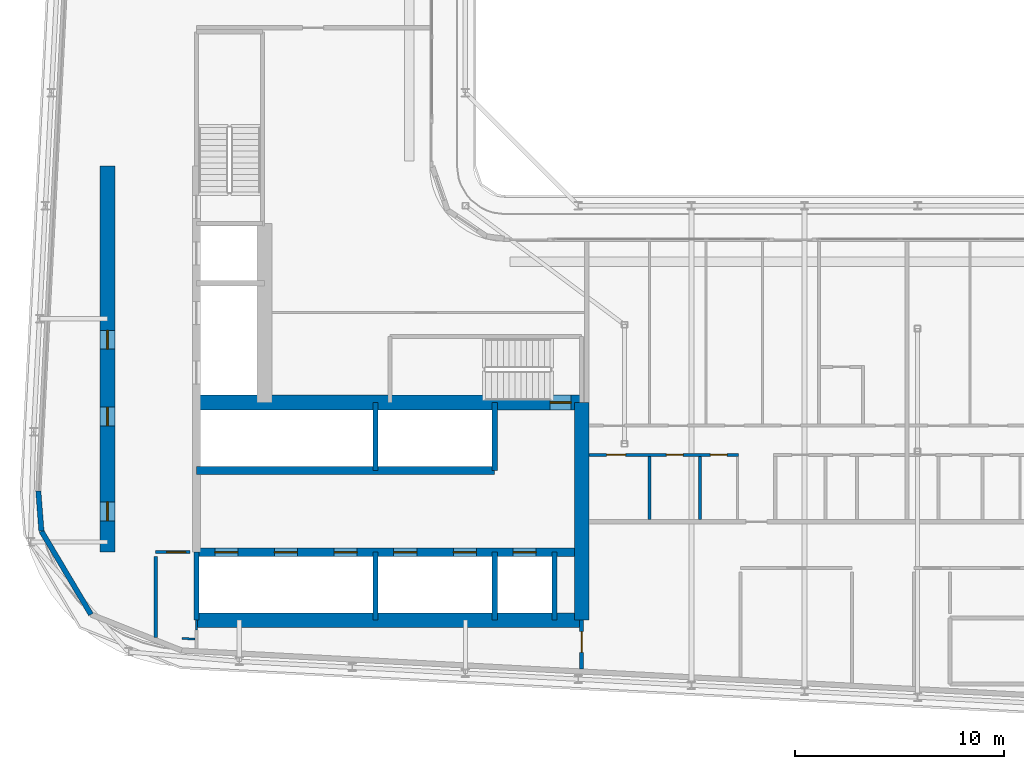
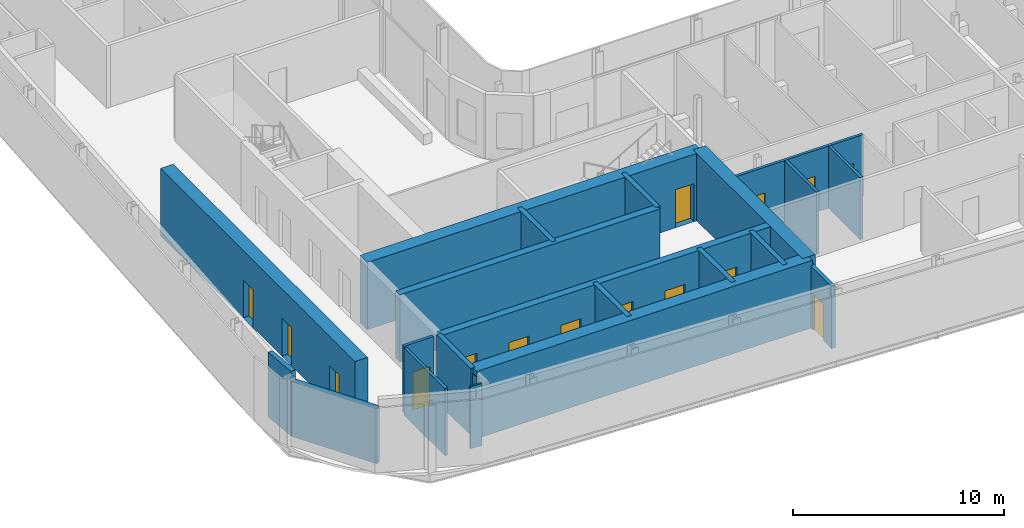
# One storey, part 10 of 23: 22 walls, 15 doors, 15 openings.
"""IFC4 building model written with IfcOpenShell, lengths in metres."""

import ifcopenshell
import ifcopenshell.guid

model = None  # the IFC model being written
_history = None  # IfcOwnerHistory: only IFC2X3 demands one
_inside = {}  # id of a spatial element -> (the spatial element, [elements in it])
_under = {}  # id of a project, library or spatial element -> (it, [spatial elements below it])
_declared = {}  # id of a project -> (the project, [libraries it declares])
_typed = {}  # id of a type object -> (the type object, [elements of that type])
_made_of = {}  # id of a material, layer set ... -> (it, [elements and type objects made of it])


def new_model(schema):
    """Start an empty IFC model of exactly this schema.

    Asked for "IFC4X3", IfcOpenShell would pick the latest addendum, in which some entities
    have other attributes; the version numbers below select the first issue.
    IFC2X3 requires an IfcOwnerHistory on every rooted entity: one is made here for all.
    """
    global model, _history
    if schema == "IFC4X3":
        model = ifcopenshell.file(schema_version=(4, 3, 0, 0))
    else:
        model = ifcopenshell.file(schema=schema)
    _inside.clear()
    _under.clear()
    _declared.clear()
    _typed.clear()
    _made_of.clear()
    _history = None
    if model.schema == "IFC2X3":
        org = make("IfcOrganization", Name="unknown")
        user = make(
            "IfcPersonAndOrganization",
            ThePerson=make("IfcPerson", FamilyName="unknown"),
            TheOrganization=org,
        )
        app = make(
            "IfcApplication",
            ApplicationDeveloper=org,
            Version="unknown",
            ApplicationFullName="unknown",
            ApplicationIdentifier="unknown",
        )
        _history = make(
            "IfcOwnerHistory",
            OwningUser=user,
            OwningApplication=app,
            ChangeAction="ADDED",
            CreationDate=0,
        )
    return model


def make(cls, **values):
    """One entity of the class cls with the attributes given. An attribute that is None is left unset."""
    return model.create_entity(
        cls, **{name: value for name, value in values.items() if value is not None}
    )


def rooted(cls, **values):
    """An entity with a GlobalId (a new one), such as an element, a storey or a relation."""
    return make(cls, GlobalId=ifcopenshell.guid.new(), OwnerHistory=_history, **values)


def si_unit(unit_type, name, prefix=None):
    """IfcSIUnit, for example si_unit("LENGTHUNIT", "METRE", prefix="MILLI")."""
    return make("IfcSIUnit", UnitType=unit_type, Prefix=prefix, Name=name)


def assignment(units):
    """IfcUnitAssignment: the units of a project."""
    return None if units is None else make("IfcUnitAssignment", Units=units)


def point(xyz):
    """IfcCartesianPoint."""
    return None if xyz is None else make("IfcCartesianPoint", Coordinates=xyz)


def direction(xyz):
    """IfcDirection."""
    return None if xyz is None else make("IfcDirection", DirectionRatios=xyz)


def frame(location, z_axis=None, x_axis=None):
    """IfcAxis2Placement3D, a coordinate frame: its origin and axes. An axis left out is left unset."""
    return make(
        "IfcAxis2Placement3D",
        Location=point(location),
        Axis=direction(z_axis),
        RefDirection=direction(x_axis),
    )


def frame_2d(location, x_axis=None):
    """IfcAxis2Placement2D, a coordinate frame in the plane: its origin and x axis."""
    return make(
        "IfcAxis2Placement2D", Location=point(location), RefDirection=direction(x_axis)
    )


def origin():
    """The frame at (0, 0, 0) with its axes left unset."""
    return frame((0.0, 0.0, 0.0))


def place(relative_to, where):
    """IfcLocalPlacement: puts the frame where relative to a parent placement (None: the world)."""
    return make(
        "IfcLocalPlacement", PlacementRelTo=relative_to, RelativePlacement=where
    )


def context(
    kind, dimensions, precision=None, world=None, true_north=None, identifier=None
):
    """IfcGeometricRepresentationContext, for example the 3D "Model" context."""
    return make(
        "IfcGeometricRepresentationContext",
        ContextIdentifier=identifier,
        ContextType=kind,
        CoordinateSpaceDimension=dimensions,
        Precision=precision,
        WorldCoordinateSystem=world,
        TrueNorth=true_north,
    )


def subcontext(parent, identifier, kind, view, scale=None):
    """IfcGeometricRepresentationSubContext, for example "Body" below "Model"."""
    return make(
        "IfcGeometricRepresentationSubContext",
        ContextIdentifier=identifier,
        ContextType=kind,
        ParentContext=parent,
        TargetScale=scale,
        TargetView=view,
    )


def project(units=None, contexts=None):
    """IfcProject with its units and contexts."""
    return rooted(
        "IfcProject",
        Name="project",
        RepresentationContexts=contexts,
        UnitsInContext=assignment(units),
    )


def spatial(cls, under=None, at=None, **own):
    """A site, building, storey or space (cls), placed at a placement, below another one or the project."""
    s = rooted(cls, ObjectPlacement=at, **own)
    if under is not None:
        _under.setdefault(under.id(), (under, []))[1].append(s)
    return s


def profile(cls, at=None, kind="AREA", **sizes):
    """A parametric profile (cls). Its sizes go by their IFC names, for example OverallWidth=200.0."""
    return make(cls, ProfileType=kind, Position=at, **sizes)


def rectangle(**sizes):
    """IfcRectangleProfileDef."""
    return profile("IfcRectangleProfileDef", **sizes)


def extrude(swept, where, along, depth):
    """IfcExtrudedAreaSolid: the profile swept, set in the frame where, extruded along a direction by depth."""
    return make(
        "IfcExtrudedAreaSolid",
        SweptArea=swept,
        Position=where,
        ExtrudedDirection=direction(along),
        Depth=depth,
    )


def shape(context_of_items, identifier, shape_type, items):
    """IfcShapeRepresentation: the items that make up one representation, for example the "Body"."""
    return make(
        "IfcShapeRepresentation",
        ContextOfItems=context_of_items,
        RepresentationIdentifier=identifier,
        RepresentationType=shape_type,
        Items=items,
    )


def source(mapping_origin, context_of_items, identifier, shape_type, items):
    """IfcRepresentationMap: a shape defined once, which mapped items show again and again."""
    return make(
        "IfcRepresentationMap",
        MappingOrigin=mapping_origin,
        MappedRepresentation=shape(context_of_items, identifier, shape_type, items),
    )


def transform(
    local_origin,
    x_axis=None,
    y_axis=None,
    z_axis=None,
    scale=None,
    scale2=None,
    scale3=None,
    uniform=True,
):
    """IfcCartesianTransformationOperator3D, or its non-uniform kind. x_axis, y_axis, z_axis: its Axis1, 2, 3."""
    if uniform:
        return make(
            "IfcCartesianTransformationOperator3D",
            Axis1=direction(x_axis),
            Axis2=direction(y_axis),
            LocalOrigin=point(local_origin),
            Scale=scale,
            Axis3=direction(z_axis),
        )
    return make(
        "IfcCartesianTransformationOperator3DnonUniform",
        Axis1=direction(x_axis),
        Axis2=direction(y_axis),
        LocalOrigin=point(local_origin),
        Scale=scale,
        Axis3=direction(z_axis),
        Scale2=scale2,
        Scale3=scale3,
    )


def mapped(mapping_source, mapping_target):
    """IfcMappedItem: shows the shape of a source again, moved by a transform."""
    return make(
        "IfcMappedItem", MappingSource=mapping_source, MappingTarget=mapping_target
    )


def material(Name=None, Category=None):
    """IfcMaterial."""
    return make("IfcMaterial", Name=Name, Category=Category)


def layer(
    of_material, thickness, ventilated=None, Name=None, Category=None, Priority=None
):
    """IfcMaterialLayer: one layer of a wall or slab, of a material (None: an air gap)."""
    return make(
        "IfcMaterialLayer",
        Material=of_material,
        LayerThickness=thickness,
        IsVentilated=ventilated,
        Name=Name,
        Category=Category,
        Priority=Priority,
    )


def layer_set(layers, Name=None):
    """IfcMaterialLayerSet."""
    return make("IfcMaterialLayerSet", MaterialLayers=layers, LayerSetName=Name)


def made_of(thing, what):
    """Note that an element or type object is made of a material, layer set ...; save() writes the relation."""
    if what is not None:
        _made_of.setdefault(what.id(), (what, []))[1].append(thing)
    return thing


def type_object(cls, material=None, **own):
    """A type object (cls), such as IfcWallType, which elements share."""
    return made_of(rooted(cls, **own), material)


def element(
    cls,
    number,
    at=None,
    inside=None,
    cuts=None,
    type_object=None,
    material=None,
    context=None,
    identifier="Body",
    shape_type=None,
    held_by="IfcProductDefinitionShape",
    body=None,
    shapes=None,
    **own,
):
    """One element of the class cls, such as IfcWall. Its Tag is "e" and its number.

    at: its placement. inside: the storey or other place that contains it. cuts: it is an
    opening in that element (IfcRelVoidsElement). A single representation is given by context,
    identifier, shape_type and body (its items); several are given by shapes. held_by: the class
    of the entity that holds the representations. save() writes the other relations.
    """
    e = rooted(cls, Tag="e%d" % number, ObjectPlacement=at, **own)
    if body is not None:
        shapes = [shape(context, identifier, shape_type, body)]
    if shapes is not None:
        e.Representation = make(held_by, Representations=shapes)
    if inside is not None:
        _inside.setdefault(inside.id(), (inside, []))[1].append(e)
    if cuts is not None:
        rooted(
            "IfcRelVoidsElement", RelatingBuildingElement=cuts, RelatedOpeningElement=e
        )
    if type_object is not None:
        _typed.setdefault(type_object.id(), (type_object, []))[1].append(e)
    return made_of(e, material)


def fill(opening, filler):
    """IfcRelFillsElement: the door or window that sits in an opening."""
    return rooted(
        "IfcRelFillsElement",
        RelatingOpeningElement=opening,
        RelatedBuildingElement=filler,
    )


def aggregate(whole, parts):
    """IfcRelAggregates: a whole, such as a stair, and the parts it consists of."""
    return rooted("IfcRelAggregates", RelatingObject=whole, RelatedObjects=parts)


def save(model, path):
    """Write the relations noted so far, then the file.

    IfcRelAggregates (storeys below a building ...), IfcRelContainedInSpatialStructure (elements
    in a storey), IfcRelDefinesByType, IfcRelAssociatesMaterial and IfcRelDeclares: one each for
    every whole, place, type object, material and project.
    """
    for whole, parts in _under.values():
        aggregate(whole, parts)
    for where, things in _inside.values():
        rooted(
            "IfcRelContainedInSpatialStructure",
            RelatedElements=things,
            RelatingStructure=where,
        )
    for kind, things in _typed.values():
        rooted("IfcRelDefinesByType", RelatedObjects=things, RelatingType=kind)
    for what, things in _made_of.values():
        rooted("IfcRelAssociatesMaterial", RelatedObjects=things, RelatingMaterial=what)
    for by, libraries in _declared.values():
        rooted("IfcRelDeclares", RelatingContext=by, RelatedDefinitions=libraries)
    model.write(path)


model = new_model("IFC4")

# Units and contexts
model_context = context("Model", 3, precision=1e-05, world=origin(), true_north=direction((0.0, 1.0)))
body_context = subcontext(model_context, "Body", "Model", "MODEL_VIEW")
ifc_project = project(units=[si_unit("LENGTHUNIT", "METRE"), si_unit("AREAUNIT", "SQUARE_METRE"), si_unit("VOLUMEUNIT", "CUBIC_METRE"), si_unit("PLANEANGLEUNIT", "RADIAN"), si_unit("MASSUNIT", "GRAM", prefix="KILO")], contexts=[model_context])

# Site, building, storey
site_placement = place(None, origin())
site = spatial("IfcSite", under=ifc_project, at=site_placement, CompositionType="ELEMENT")
building_placement = place(site_placement, origin())
building = spatial("IfcBuilding", under=site, at=building_placement, Name="Kheshtan School and Residences Tower", CompositionType="ELEMENT")
storey_placement = place(building_placement, frame((0.0, 0.0, 239.60009765625)))
storey = spatial("IfcBuildingStorey", under=building, at=storey_placement, Name="L56", CompositionType="ELEMENT", Elevation=239.60009765625)

# Wall, openings, doors
ifc_material_1 = material(Name="Concrete C50/60", Category="concrete")
ifc_layer_1 = layer(ifc_material_1, 0.39990234375)
ifc_layer_set_1 = layer_set([ifc_layer_1], Name="Core wall 400 Concrete C50/60")
wall_type_1 = type_object("IfcWallType", Name="Core wall 400 Concrete C50/60", PredefinedType="SHEAR", material=ifc_layer_set_1)
wall_1_placement = place(storey_placement, frame((34.75, 29.050048828125, 0.0), z_axis=(0.0, 0.0, 1.0), x_axis=(1.0, 0.0, 0.0)))
wall_1 = element("IfcWall", 1, at=wall_1_placement, inside=storey, type_object=wall_type_1, Name="Core wall CW-HALL-S1", PredefinedType="SHEAR", context=body_context, shape_type="SweptSolid", body=[
    extrude(rectangle(XDim=18.39990234375, YDim=0.39990234375, at=frame_2d((9.199951171875, 0.0))), origin(), (0.0, 0.0, 1.0), 3.89990234375),
])
opening_1_placement = place(wall_1_placement, frame((0.875, 0.0, 0.0)))
opening_1 = element("IfcOpeningElement", 2, at=opening_1_placement, cuts=wall_1, Name="Opening LD", PredefinedType="OPENING", context=body_context, shape_type="SweptSolid", body=[
    extrude(rectangle(XDim=1.10009765625, YDim=2.199951171875, at=frame_2d((0.550048828125, 1.10009765625))), frame((0.0, 0.2099609375, 0.0), z_axis=(0.0, -1.0, 0.0), x_axis=(1.0, 0.0, 0.0)), (0.0, 0.0, 1.0), 0.419921875),
])
opening_2_placement = place(wall_1_placement, frame((3.72509765625, 0.0, 0.0)))
opening_2 = element("IfcOpeningElement", 3, at=opening_2_placement, cuts=wall_1, Name="Opening LD", PredefinedType="OPENING", context=body_context, shape_type="SweptSolid", body=[
    extrude(rectangle(XDim=1.10009765625, YDim=2.199951171875, at=frame_2d((0.550048828125, 1.10009765625))), frame((0.0, 0.2099609375, 0.0), z_axis=(0.0, -1.0, 0.0), x_axis=(1.0, 0.0, 0.0)), (0.0, 0.0, 1.0), 0.419921875),
])
opening_3_placement = place(wall_1_placement, frame((6.574951171875, 0.0, 0.0)))
opening_3 = element("IfcOpeningElement", 4, at=opening_3_placement, cuts=wall_1, Name="Opening LD", PredefinedType="OPENING", context=body_context, shape_type="SweptSolid", body=[
    extrude(rectangle(XDim=1.10009765625, YDim=2.199951171875, at=frame_2d((0.550048828125, 1.10009765625))), frame((0.0, 0.2099609375, 0.0), z_axis=(0.0, -1.0, 0.0), x_axis=(1.0, 0.0, 0.0)), (0.0, 0.0, 1.0), 0.419921875),
])
opening_4_placement = place(wall_1_placement, frame((9.425048828125, 0.0, 0.0)))
opening_4 = element("IfcOpeningElement", 5, at=opening_4_placement, cuts=wall_1, Name="Opening LD", PredefinedType="OPENING", context=body_context, shape_type="SweptSolid", body=[
    extrude(rectangle(XDim=1.10009765625, YDim=2.199951171875, at=frame_2d((0.550048828125, 1.10009765625))), frame((0.0, 0.2099609375, 0.0), z_axis=(0.0, -1.0, 0.0), x_axis=(1.0, 0.0, 0.0)), (0.0, 0.0, 1.0), 0.419921875),
])
opening_5_placement = place(wall_1_placement, frame((12.27490234375, 0.0, 0.0)))
opening_5 = element("IfcOpeningElement", 6, at=opening_5_placement, cuts=wall_1, Name="Opening LD", PredefinedType="OPENING", context=body_context, shape_type="SweptSolid", body=[
    extrude(rectangle(XDim=1.10009765625, YDim=2.199951171875, at=frame_2d((0.550048828125, 1.10009765625))), frame((0.0, 0.2099609375, 0.0), z_axis=(0.0, -1.0, 0.0), x_axis=(1.0, 0.0, 0.0)), (0.0, 0.0, 1.0), 0.419921875),
])
opening_6_placement = place(wall_1_placement, frame((15.125, 0.0, 0.0)))
opening_6 = element("IfcOpeningElement", 7, at=opening_6_placement, cuts=wall_1, Name="Opening LD", PredefinedType="OPENING", context=body_context, shape_type="SweptSolid", body=[
    extrude(rectangle(XDim=1.10009765625, YDim=2.199951171875, at=frame_2d((0.550048828125, 1.10009765625))), frame((0.0, 0.2099609375, 0.0), z_axis=(0.0, -1.0, 0.0), x_axis=(1.0, 0.0, 0.0)), (0.0, 0.0, 1.0), 0.419921875),
])
ifc_material_2 = material(Name="Stainless steel door leaves", Category="steel")
door_type_1 = type_object("IfcDoorType", Name="Lift landing door 1100", OperationType="SLIDING_TO_LEFT", PredefinedType="DOOR", material=ifc_material_2)
shared_shape_1 = source(origin(), body_context, "Body", "SweptSolid", [
    extrude(rectangle(XDim=1.10009765625, YDim=2.199951171875, at=frame_2d((0.550048828125, 1.10009765625))), frame((0.0, 0.02490234375, 0.0), z_axis=(0.0, -1.0, 0.0), x_axis=(1.0, 0.0, 0.0)), (0.0, 0.0, 1.0), 0.050048828125),
])
door_1_placement = place(opening_1_placement, origin())
door_1 = element("IfcDoor", 8, at=door_1_placement, inside=storey, type_object=door_type_1, Name="Lift P7 landing door", OperationType="SLIDING_TO_LEFT", OverallHeight=2.199951171875, OverallWidth=1.10009765625, PredefinedType="DOOR", context=body_context, shape_type="MappedRepresentation", body=[
    mapped(shared_shape_1, transform((0.0, 0.0, 0.0), x_axis=(1.0, 0.0, 0.0), y_axis=(0.0, 1.0, 0.0), z_axis=(0.0, 0.0, 1.0), scale=1.0)),
])
fill(opening_1, door_1)
door_2_placement = place(opening_2_placement, origin())
door_2 = element("IfcDoor", 9, at=door_2_placement, inside=storey, type_object=door_type_1, Name="Lift P8 landing door", OperationType="SLIDING_TO_LEFT", OverallHeight=2.199951171875, OverallWidth=1.10009765625, PredefinedType="DOOR", context=body_context, shape_type="MappedRepresentation", body=[
    mapped(shared_shape_1, transform((0.0, 0.0, 0.0), x_axis=(1.0, 0.0, 0.0), y_axis=(0.0, 1.0, 0.0), z_axis=(0.0, 0.0, 1.0), scale=1.0)),
])
fill(opening_2, door_2)
door_3_placement = place(opening_3_placement, origin())
door_3 = element("IfcDoor", 10, at=door_3_placement, inside=storey, type_object=door_type_1, Name="Lift P9 landing door", OperationType="SLIDING_TO_LEFT", OverallHeight=2.199951171875, OverallWidth=1.10009765625, PredefinedType="DOOR", context=body_context, shape_type="MappedRepresentation", body=[
    mapped(shared_shape_1, transform((0.0, 0.0, 0.0), x_axis=(1.0, 0.0, 0.0), y_axis=(0.0, 1.0, 0.0), z_axis=(0.0, 0.0, 1.0), scale=1.0)),
])
fill(opening_3, door_3)
door_4_placement = place(opening_4_placement, origin())
door_4 = element("IfcDoor", 11, at=door_4_placement, inside=storey, type_object=door_type_1, Name="Lift P10 landing door", OperationType="SLIDING_TO_LEFT", OverallHeight=2.199951171875, OverallWidth=1.10009765625, PredefinedType="DOOR", context=body_context, shape_type="MappedRepresentation", body=[
    mapped(shared_shape_1, transform((0.0, 0.0, 0.0), x_axis=(1.0, 0.0, 0.0), y_axis=(0.0, 1.0, 0.0), z_axis=(0.0, 0.0, 1.0), scale=1.0)),
])
fill(opening_4, door_4)
door_5_placement = place(opening_5_placement, origin())
door_5 = element("IfcDoor", 12, at=door_5_placement, inside=storey, type_object=door_type_1, Name="Lift P11 landing door", OperationType="SLIDING_TO_LEFT", OverallHeight=2.199951171875, OverallWidth=1.10009765625, PredefinedType="DOOR", context=body_context, shape_type="MappedRepresentation", body=[
    mapped(shared_shape_1, transform((0.0, 0.0, 0.0), x_axis=(1.0, 0.0, 0.0), y_axis=(0.0, 1.0, 0.0), z_axis=(0.0, 0.0, 1.0), scale=1.0)),
])
fill(opening_5, door_5)
door_6_placement = place(opening_6_placement, origin())
door_6 = element("IfcDoor", 13, at=door_6_placement, inside=storey, type_object=door_type_1, Name="Lift FFL2 landing door", OperationType="SLIDING_TO_LEFT", OverallHeight=2.199951171875, OverallWidth=1.10009765625, PredefinedType="DOOR", context=body_context, shape_type="MappedRepresentation", body=[
    mapped(shared_shape_1, transform((0.0, 0.0, 0.0), x_axis=(1.0, 0.0, 0.0), y_axis=(0.0, 1.0, 0.0), z_axis=(0.0, 0.0, 1.0), scale=1.0)),
])
fill(opening_6, door_6)

# Walls
wall_2_placement = place(storey_placement, frame((34.75, 32.949951171875, 0.0), z_axis=(0.0, 0.0, 1.0), x_axis=(1.0, 0.0, 0.0)))
element("IfcWall", 14, at=wall_2_placement, inside=storey, type_object=wall_type_1, Name="Core wall CW-HALL-S2", PredefinedType="SHEAR", context=body_context, shape_type="SweptSolid", body=[
    extrude(rectangle(XDim=14.25, YDim=0.39990234375, at=frame_2d((7.125, 0.0))), origin(), (0.0, 0.0, 1.0), 3.89990234375),
])
ifc_material_3 = material(Name="Concrete C70/85", Category="concrete")
ifc_layer_2 = layer(ifc_material_3, 0.699951171875)
ifc_layer_set_2 = layer_set([ifc_layer_2], Name="Core wall 700 Concrete C70/85")
wall_type_2 = type_object("IfcWallType", Name="Core wall 700 Concrete C70/85", PredefinedType="SHEAR", material=ifc_layer_set_2)
wall_3_placement = place(storey_placement, frame((34.75, 25.800048828125, 0.0), z_axis=(0.0, 0.0, 1.0), x_axis=(1.0, 0.0, 0.0)))
element("IfcWall", 15, at=wall_3_placement, inside=storey, type_object=wall_type_2, Name="Core wall CW-REAR-S", PredefinedType="SHEAR", context=body_context, shape_type="SweptSolid", body=[
    extrude(rectangle(XDim=18.39990234375, YDim=0.699951171875, at=frame_2d((9.199951171875, 0.0))), origin(), (0.0, 0.0, 1.0), 3.89990234375),
])

# Wall, opening, door
wall_4_placement = place(storey_placement, frame((34.75, 36.199951171875, 0.0), z_axis=(0.0, 0.0, 1.0), x_axis=(1.0, 0.0, 0.0)))
wall_4 = element("IfcWall", 16, at=wall_4_placement, inside=storey, type_object=wall_type_2, Name="Core wall CW-FRONT-S", PredefinedType="SHEAR", context=body_context, shape_type="SweptSolid", body=[
    extrude(rectangle(XDim=18.39990234375, YDim=0.699951171875, at=frame_2d((9.199951171875, 0.0))), origin(), (0.0, 0.0, 1.0), 3.89990234375),
])
opening_7_placement = place(wall_4_placement, frame((16.89990234375, 0.0, 0.0)))
opening_7 = element("IfcOpeningElement", 17, at=opening_7_placement, cuts=wall_4, Name="Opening ST1D", PredefinedType="OPENING", context=body_context, shape_type="SweptSolid", body=[
    extrude(rectangle(XDim=1.0, YDim=2.199951171875, at=frame_2d((0.5, 1.10009765625))), frame((0.0, 0.35986328125, 0.0), z_axis=(0.0, -1.0, 0.0), x_axis=(1.0, 0.0, 0.0)), (0.0, 0.0, 1.0), 0.719970703125),
])
ifc_material_4 = material(Name="Steel door leaf, galvanised", Category="steel")
door_type_2 = type_object("IfcDoorType", Name="Stair door 1100 steel 90 min", OperationType="SINGLE_SWING_LEFT", PredefinedType="DOOR", material=ifc_material_4)
shared_shape_2 = source(origin(), body_context, "Body", "SweptSolid", [
    extrude(rectangle(XDim=1.0, YDim=2.199951171875, at=frame_2d((0.5, 1.10009765625))), frame((0.0, 0.02490234375, 0.0), z_axis=(0.0, -1.0, 0.0), x_axis=(1.0, 0.0, 0.0)), (0.0, 0.0, 1.0), 0.050048828125),
])
door_7_placement = place(opening_7_placement, origin())
door_7 = element("IfcDoor", 18, at=door_7_placement, inside=storey, type_object=door_type_2, Name="Stair ST1 door", OperationType="SINGLE_SWING_RIGHT", OverallHeight=2.199951171875, OverallWidth=1.0, PredefinedType="DOOR", context=body_context, shape_type="MappedRepresentation", body=[
    mapped(shared_shape_2, transform((0.0, 0.0, 0.0), x_axis=(1.0, 0.0, 0.0), y_axis=(0.0, 1.0, 0.0), z_axis=(0.0, 0.0, 1.0), scale=1.0)),
])
fill(opening_7, door_7)

# Wall, openings, doors
wall_5_placement = place(storey_placement, frame((30.5, 29.050048828125, 0.0), z_axis=(0.0, 0.0, 1.0), x_axis=(0.0, 1.0, 0.0)))
wall_5 = element("IfcWall", 19, at=wall_5_placement, inside=storey, type_object=wall_type_2, Name="Core wall CW-REAR-W", PredefinedType="SHEAR", context=body_context, shape_type="SweptSolid", body=[
    extrude(rectangle(XDim=18.449951171875, YDim=0.699951171875, at=frame_2d((9.22509765625, 0.0))), origin(), (0.0, 0.0, 1.0), 3.89990234375),
])
opening_8_placement = place(wall_5_placement, frame((1.5, 0.0, 0.0)))
opening_8 = element("IfcOpeningElement", 20, at=opening_8_placement, cuts=wall_5, Name="Opening SR90", PredefinedType="OPENING", context=body_context, shape_type="SweptSolid", body=[
    extrude(rectangle(XDim=0.89990234375, YDim=2.199951171875, at=frame_2d((0.449951171875, 1.10009765625))), frame((0.0, 0.35986328125, 0.0), z_axis=(0.0, -1.0, 0.0), x_axis=(1.0, 0.0, 0.0)), (0.0, 0.0, 1.0), 0.719970703125),
])
opening_9_placement = place(wall_5_placement, frame((6.030029296875, 0.0, 0.0)))
opening_9 = element("IfcOpeningElement", 21, at=opening_9_placement, cuts=wall_5, Name="Opening SR90", PredefinedType="OPENING", context=body_context, shape_type="SweptSolid", body=[
    extrude(rectangle(XDim=0.89990234375, YDim=2.199951171875, at=frame_2d((0.449951171875, 1.10009765625))), frame((0.0, 0.35986328125, 0.0), z_axis=(0.0, -1.0, 0.0), x_axis=(1.0, 0.0, 0.0)), (0.0, 0.0, 1.0), 0.719970703125),
])
opening_10_placement = place(wall_5_placement, frame((9.699951171875, 0.0, 0.0)))
opening_10 = element("IfcOpeningElement", 22, at=opening_10_placement, cuts=wall_5, Name="Opening SR90", PredefinedType="OPENING", context=body_context, shape_type="SweptSolid", body=[
    extrude(rectangle(XDim=0.89990234375, YDim=2.199951171875, at=frame_2d((0.449951171875, 1.10009765625))), frame((0.0, 0.35986328125, 0.0), z_axis=(0.0, -1.0, 0.0), x_axis=(1.0, 0.0, 0.0)), (0.0, 0.0, 1.0), 0.719970703125),
])
door_type_3 = type_object("IfcDoorType", Name="Service room door 900 steel 90 min", OperationType="SINGLE_SWING_LEFT", PredefinedType="DOOR", material=ifc_material_4)
shared_shape_3 = source(origin(), body_context, "Body", "SweptSolid", [
    extrude(rectangle(XDim=0.89990234375, YDim=2.199951171875, at=frame_2d((0.449951171875, 1.10009765625))), frame((0.0, 0.02490234375, 0.0), z_axis=(0.0, -1.0, 0.0), x_axis=(1.0, 0.0, 0.0)), (0.0, 0.0, 1.0), 0.050048828125),
])
door_8_placement = place(opening_8_placement, origin())
door_8 = element("IfcDoor", 23, at=door_8_placement, inside=storey, type_object=door_type_3, Name="Service room door", OperationType="SINGLE_SWING_LEFT", OverallHeight=2.199951171875, OverallWidth=0.89990234375, PredefinedType="DOOR", context=body_context, shape_type="MappedRepresentation", body=[
    mapped(shared_shape_3, transform((0.0, 0.0, 0.0), x_axis=(1.0, 0.0, 0.0), y_axis=(0.0, 1.0, 0.0), z_axis=(0.0, 0.0, 1.0), scale=1.0)),
])
fill(opening_8, door_8)
door_9_placement = place(opening_9_placement, origin())
door_9 = element("IfcDoor", 24, at=door_9_placement, inside=storey, type_object=door_type_3, Name="Service room door", OperationType="SINGLE_SWING_RIGHT", OverallHeight=2.199951171875, OverallWidth=0.89990234375, PredefinedType="DOOR", context=body_context, shape_type="MappedRepresentation", body=[
    mapped(shared_shape_3, transform((0.0, 0.0, 0.0), x_axis=(1.0, 0.0, 0.0), y_axis=(0.0, 1.0, 0.0), z_axis=(0.0, 0.0, 1.0), scale=1.0)),
])
fill(opening_9, door_9)
door_10_placement = place(opening_10_placement, origin())
door_10 = element("IfcDoor", 25, at=door_10_placement, inside=storey, type_object=door_type_3, Name="Service room door", OperationType="SINGLE_SWING_LEFT", OverallHeight=2.199951171875, OverallWidth=0.89990234375, PredefinedType="DOOR", context=body_context, shape_type="MappedRepresentation", body=[
    mapped(shared_shape_3, transform((0.0, 0.0, 0.0), x_axis=(1.0, 0.0, 0.0), y_axis=(0.0, 1.0, 0.0), z_axis=(0.0, 0.0, 1.0), scale=1.0)),
])
fill(opening_10, door_10)

# Wall
wall_6_placement = place(storey_placement, frame((53.14990234375, 25.800048828125, 0.0), z_axis=(0.0, 0.0, 1.0), x_axis=(0.0, 1.0, 0.0)))
element("IfcWall", 26, at=wall_6_placement, inside=storey, type_object=wall_type_2, Name="Core wall CW-EAST", PredefinedType="SHEAR", context=body_context, shape_type="SweptSolid", body=[
    extrude(rectangle(XDim=10.39990234375, YDim=0.699951171875, at=frame_2d((5.199951171875, 0.0))), origin(), (0.0, 0.0, 1.0), 3.89990234375),
])

# Wall, opening, door
ifc_material_5 = material(Name="Gypsum board on steel studs with fire boards", Category="steel")
ifc_layer_3 = layer(ifc_material_5, 0.199951171875)
ifc_layer_set_3 = layer_set([ifc_layer_3], Name="Corridor wall 200")
wall_type_3 = type_object("IfcWallType", Name="Corridor wall 200", PredefinedType="PARTITIONING", material=ifc_layer_set_3)
wall_7_placement = place(storey_placement, frame((53.14990234375, 23.472412109375, 0.0), z_axis=(0.0, 0.0, 1.0), x_axis=(0.0, 1.0, 0.0)))
wall_7 = element("IfcWall", 27, at=wall_7_placement, inside=storey, type_object=wall_type_3, Name="Partition L56-034", PredefinedType="PARTITIONING", context=body_context, shape_type="SweptSolid", body=[
    extrude(rectangle(XDim=2.32763671875, YDim=0.199951171875, at=frame_2d((1.163818359375, 0.0))), origin(), (0.0, 0.0, 1.0), 3.599853515625),
])
opening_11_placement = place(wall_7_placement, frame((0.784912109375, 0.0, 0.0)))
opening_11 = element("IfcOpeningElement", 28, at=opening_11_placement, cuts=wall_7, Name="Opening D56-047", PredefinedType="OPENING", context=body_context, shape_type="SweptSolid", body=[
    extrude(rectangle(XDim=1.0, YDim=2.10009765625, at=frame_2d((0.5, 1.050048828125))), frame((0.0, 0.10986328125, 0.0), z_axis=(0.0, -1.0, 0.0), x_axis=(1.0, 0.0, 0.0)), (0.0, 0.0, 1.0), 0.219970703125),
])
ifc_material_6 = material(Name="Steel-framed fire-resisting door leaf", Category="steel")
door_type_4 = type_object("IfcDoorType", Name="Fire door FD60 1000 x 2100", OperationType="SINGLE_SWING_LEFT", PredefinedType="DOOR", material=ifc_material_6)
shared_shape_4 = source(origin(), body_context, "Body", "SweptSolid", [
    extrude(rectangle(XDim=1.0, YDim=2.10009765625, at=frame_2d((0.5, 1.050048828125))), frame((0.0, 0.02490234375, 0.0), z_axis=(0.0, -1.0, 0.0), x_axis=(1.0, 0.0, 0.0)), (0.0, 0.0, 1.0), 0.050048828125),
])
door_11_placement = place(opening_11_placement, origin())
door_11 = element("IfcDoor", 29, at=door_11_placement, inside=storey, type_object=door_type_4, Name="Door D56-047", OperationType="SINGLE_SWING_RIGHT", OverallHeight=2.10009765625, OverallWidth=1.0, PredefinedType="DOOR", context=body_context, shape_type="MappedRepresentation", body=[
    mapped(shared_shape_4, transform((0.0, 0.0, 0.0), x_axis=(1.0, 0.0, 0.0), y_axis=(0.0, 1.0, 0.0), z_axis=(0.0, 0.0, 1.0), scale=1.0)),
])
fill(opening_11, door_11)

# Walls
ifc_material_7 = material(Name="Concrete C40/50 with ceramic cladding and mineral wool insulation", Category="concrete")
ifc_layer_4 = layer(ifc_material_7, 0.25)
ifc_layer_set_4 = layer_set([ifc_layer_4], Name="External wall 250 ceramic clad")
wall_type_4 = type_object("IfcWallType", Name="External wall 250 ceramic clad", PredefinedType="SOLIDWALL", material=ifc_layer_set_4)
wall_8_placement = place(storey_placement, frame((29.7119140625, 26.072021484375, 0.0), z_axis=(0.0, 0.0, 1.0), x_axis=(-0.511028049012, 0.859564036662, 0.0)))
element("IfcWall", 30, at=wall_8_placement, inside=storey, type_object=wall_type_4, Name="External wall L56 2", PredefinedType="SOLIDWALL", context=body_context, shape_type="SweptSolid", body=[
    extrude(rectangle(XDim=4.633544921875, YDim=0.25, at=frame_2d((2.31689453125, 0.0))), origin(), (0.0, 0.0, 1.0), 3.216796875),
])
wall_9_placement = place(storey_placement, frame((27.343994140625, 30.054931640625, 0.0), z_axis=(0.0, 0.0, 1.0), x_axis=(-0.077571675317, 0.99698677784, 0.0)))
element("IfcWall", 31, at=wall_9_placement, inside=storey, type_object=wall_type_4, Name="External wall L56 3", PredefinedType="SOLIDWALL", context=body_context, shape_type="SweptSolid", body=[
    extrude(rectangle(XDim=1.919921875, YDim=0.25, at=frame_2d((0.9599609375, 0.0))), origin(), (0.0, 0.0, 1.0), 3.75),
])
ifc_material_8 = material(Name="Gypsum board on steel studs", Category="steel")
ifc_layer_5 = layer(ifc_material_8, 0.10009765625)
ifc_layer_set_5 = layer_set([ifc_layer_5], Name="Gypsum partition 100")
wall_type_5 = type_object("IfcWallType", Name="Gypsum partition 100", PredefinedType="PARTITIONING", material=ifc_layer_set_5)
wall_10_placement = place(storey_placement, frame((34.06298828125, 24.928955078125, 0.0), z_axis=(0.0, 0.0, 1.0), x_axis=(0.99864189377, -0.052099597007, 0.0)))
element("IfcWall", 32, at=wall_10_placement, inside=storey, type_object=wall_type_5, Name="Partition L56-016", PredefinedType="PARTITIONING", context=body_context, shape_type="SweptSolid", body=[
    extrude(rectangle(XDim=0.61376953125, YDim=0.10009765625, at=frame_2d((0.306884765625, 0.0))), origin(), (0.0, 0.0, 1.0), 3.599853515625),
])
wall_11_placement = place(storey_placement, frame((34.75, 25.3291015625, 0.0), z_axis=(0.0, 0.0, 1.0), x_axis=(0.0, 1.0, 0.0)))
element("IfcWall", 33, at=wall_11_placement, inside=storey, type_object=wall_type_5, Name="Partition L56-017", PredefinedType="PARTITIONING", context=body_context, shape_type="SweptSolid", body=[
    extrude(rectangle(XDim=0.470947265625, YDim=0.10009765625, at=frame_2d((0.2353515625, 0.0))), origin(), (0.0, 0.0, 1.0), 3.599853515625),
])

# Wall, opening, door
ifc_material_9 = material(Name="Fire-board shaft wall system")
ifc_layer_6 = layer(ifc_material_9, 0.14990234375)
ifc_layer_set_6 = layer_set([ifc_layer_6], Name="Service room wall 150")
wall_type_6 = type_object("IfcWallType", Name="Service room wall 150", PredefinedType="PARTITIONING", material=ifc_layer_set_6)
wall_12_placement = place(storey_placement, frame((32.804931640625, 29.050048828125, 0.0), z_axis=(0.0, 0.0, 1.0), x_axis=(1.0, 0.0, 0.0)))
wall_12 = element("IfcWall", 34, at=wall_12_placement, inside=storey, type_object=wall_type_6, Name="Service room wall", PredefinedType="PARTITIONING", context=body_context, shape_type="SweptSolid", body=[
    extrude(rectangle(XDim=1.625, YDim=0.14990234375, at=frame_2d((0.8125, 0.0))), origin(), (0.0, 0.0, 1.0), 3.89990234375),
])
opening_12_placement = place(wall_12_placement, frame((0.52294921875, 0.0, 0.0)))
opening_12 = element("IfcOpeningElement", 35, at=opening_12_placement, cuts=wall_12, Name="Opening SR90", PredefinedType="OPENING", context=body_context, shape_type="SweptSolid", body=[
    extrude(rectangle(XDim=0.89990234375, YDim=2.199951171875, at=frame_2d((0.449951171875, 1.10009765625))), frame((0.0, 0.0849609375, 0.0), z_axis=(0.0, -1.0, 0.0), x_axis=(1.0, 0.0, 0.0)), (0.0, 0.0, 1.0), 0.169921875),
])
door_12_placement = place(opening_12_placement, origin())
door_12 = element("IfcDoor", 36, at=door_12_placement, inside=storey, type_object=door_type_3, Name="Service room door", OperationType="SINGLE_SWING_LEFT", OverallHeight=2.199951171875, OverallWidth=0.89990234375, PredefinedType="DOOR", context=body_context, shape_type="MappedRepresentation", body=[
    mapped(shared_shape_3, transform((0.0, 0.0, 0.0), x_axis=(1.0, 0.0, 0.0), y_axis=(0.0, 1.0, 0.0), z_axis=(0.0, 0.0, 1.0), scale=1.0)),
])
fill(opening_12, door_12)

# Walls
wall_13_placement = place(storey_placement, frame((32.804931640625, 24.97998046875, 0.0), z_axis=(0.0, 0.0, 1.0), x_axis=(0.0, 1.0, 0.0)))
element("IfcWall", 37, at=wall_13_placement, inside=storey, type_object=wall_type_6, Name="Service room wall", PredefinedType="PARTITIONING", context=body_context, shape_type="SweptSolid", body=[
    extrude(rectangle(XDim=3.875, YDim=0.14990234375, at=frame_2d((1.9375, 0.0))), origin(), (0.0, 0.0, 1.0), 3.89990234375),
])
ifc_layer_7 = layer(ifc_material_9, 0.25)
ifc_layer_set_7 = layer_set([ifc_layer_7], Name="Shaft lining wall 250")
wall_type_7 = type_object("IfcWallType", Name="Shaft lining wall 250", PredefinedType="PARTITIONING", material=ifc_layer_set_7)
for number, where, z_axis, x_axis, name in (
    (38, (34.75, 25.800048828125, 0.0), (0.0, 0.0, 1.0), (0.0, 1.0, 0.0), "Shaft lining wall"),
    (39, (43.300048828125, 25.800048828125, 0.0), (0.0, 0.0, 1.0), (0.0, 1.0, 0.0), "Shaft lining wall"),
    (40, (43.300048828125, 32.949951171875, 0.0), (0.0, 0.0, 1.0), (0.0, 1.0, 0.0), "Shaft lining wall"),
    (41, (49.0, 25.800048828125, 0.0), (0.0, 0.0, 1.0), (0.0, 1.0, 0.0), "Shaft lining wall"),
    (42, (49.0, 32.949951171875, 0.0), (0.0, 0.0, 1.0), (0.0, 1.0, 0.0), "Shaft lining wall"),
    (43, (51.85009765625, 25.800048828125, 0.0), (0.0, 0.0, 1.0), (0.0, 1.0, 0.0), "Shaft lining wall"),
):
    element("IfcWall", number, at=place(storey_placement, frame(where, z_axis=z_axis, x_axis=x_axis)), inside=storey, type_object=wall_type_7, Name=name, PredefinedType="PARTITIONING", context=body_context, shape_type="SweptSolid", body=[
        extrude(rectangle(XDim=3.25, YDim=0.25, at=frame_2d((1.625, 0.0))), origin(), (0.0, 0.0, 1.0), 3.89990234375),
    ])

# Wall, openings, doors
ifc_material_10 = material(Name="Moisture-resistant gypsum board on steel studs", Category="steel")
ifc_layer_8 = layer(ifc_material_10, 0.14990234375)
ifc_layer_set_8 = layer_set([ifc_layer_8], Name="Wet-room partition 150")
wall_type_8 = type_object("IfcWallType", Name="Wet-room partition 150", PredefinedType="PARTITIONING", material=ifc_layer_set_8)
wall_14_placement = place(storey_placement, frame((53.4990234375, 33.699951171875, 0.0), z_axis=(0.0, 0.0, 1.0), x_axis=(1.0, 0.0, 0.0)))
wall_14 = element("IfcWall", 44, at=wall_14_placement, inside=storey, type_object=wall_type_8, Name="Partition L56-037", PredefinedType="PARTITIONING", context=body_context, shape_type="SweptSolid", body=[
    extrude(rectangle(XDim=7.15087890625, YDim=0.14990234375, at=frame_2d((3.575439453125, 0.0))), origin(), (0.0, 0.0, 1.0), 3.599853515625),
])
opening_13_placement = place(wall_14_placement, frame((3.700927734375, 0.0, 0.0)))
opening_13 = element("IfcOpeningElement", 45, at=opening_13_placement, cuts=wall_14, Name="Opening D56-001", PredefinedType="OPENING", context=body_context, shape_type="SweptSolid", body=[
    extrude(rectangle(XDim=0.800048828125, YDim=2.10009765625, at=frame_2d((0.39990234375, 1.050048828125))), frame((0.0, 0.0849609375, 0.0), z_axis=(0.0, -1.0, 0.0), x_axis=(1.0, 0.0, 0.0)), (0.0, 0.0, 1.0), 0.169921875),
])
opening_14_placement = place(wall_14_placement, frame((0.85107421875, 0.0, 0.0)))
opening_14 = element("IfcOpeningElement", 46, at=opening_14_placement, cuts=wall_14, Name="Opening D56-008", PredefinedType="OPENING", context=body_context, shape_type="SweptSolid", body=[
    extrude(rectangle(XDim=0.89990234375, YDim=2.10009765625, at=frame_2d((0.449951171875, 1.050048828125))), frame((0.0, 0.0849609375, 0.0), z_axis=(0.0, -1.0, 0.0), x_axis=(1.0, 0.0, 0.0)), (0.0, 0.0, 1.0), 0.169921875),
])
opening_15_placement = place(wall_14_placement, frame((5.801025390625, 0.0, 0.0)))
opening_15 = element("IfcOpeningElement", 47, at=opening_15_placement, cuts=wall_14, Name="Opening D56-012", PredefinedType="OPENING", context=body_context, shape_type="SweptSolid", body=[
    extrude(rectangle(XDim=0.800048828125, YDim=2.10009765625, at=frame_2d((0.39990234375, 1.050048828125))), frame((0.0, 0.0849609375, 0.0), z_axis=(0.0, -1.0, 0.0), x_axis=(1.0, 0.0, 0.0)), (0.0, 0.0, 1.0), 0.169921875),
])
ifc_material_11 = material(Name="Veneered timber door leaf", Category="wood")
door_type_5 = type_object("IfcDoorType", Name="Door 800 x 2100", OperationType="SINGLE_SWING_LEFT", PredefinedType="DOOR", material=ifc_material_11)
shared_shape_5 = source(origin(), body_context, "Body", "SweptSolid", [
    extrude(rectangle(XDim=0.800048828125, YDim=2.10009765625, at=frame_2d((0.39990234375, 1.050048828125))), frame((0.0, 0.02490234375, 0.0), z_axis=(0.0, -1.0, 0.0), x_axis=(1.0, 0.0, 0.0)), (0.0, 0.0, 1.0), 0.050048828125),
])
door_13_placement = place(opening_13_placement, origin())
door_13 = element("IfcDoor", 48, at=door_13_placement, inside=storey, type_object=door_type_5, Name="Door D56-001", OperationType="SINGLE_SWING_RIGHT", OverallHeight=2.10009765625, OverallWidth=0.800048828125, PredefinedType="DOOR", context=body_context, shape_type="MappedRepresentation", body=[
    mapped(shared_shape_5, transform((0.0, 0.0, 0.0), x_axis=(1.0, 0.0, 0.0), y_axis=(0.0, 1.0, 0.0), z_axis=(0.0, 0.0, 1.0), scale=1.0)),
])
fill(opening_13, door_13)
door_14_placement = place(opening_15_placement, origin())
door_14 = element("IfcDoor", 49, at=door_14_placement, inside=storey, type_object=door_type_5, Name="Door D56-012", OperationType="SINGLE_SWING_LEFT", OverallHeight=2.10009765625, OverallWidth=0.800048828125, PredefinedType="DOOR", context=body_context, shape_type="MappedRepresentation", body=[
    mapped(shared_shape_5, transform((0.0, 0.0, 0.0), x_axis=(1.0, 0.0, 0.0), y_axis=(0.0, 1.0, 0.0), z_axis=(0.0, 0.0, 1.0), scale=1.0)),
])
fill(opening_15, door_14)
door_type_6 = type_object("IfcDoorType", Name="Door 900 x 2100", OperationType="SINGLE_SWING_LEFT", PredefinedType="DOOR", material=ifc_material_11)
shared_shape_6 = source(origin(), body_context, "Body", "SweptSolid", [
    extrude(rectangle(XDim=0.89990234375, YDim=2.10009765625, at=frame_2d((0.449951171875, 1.050048828125))), frame((0.0, 0.02490234375, 0.0), z_axis=(0.0, -1.0, 0.0), x_axis=(1.0, 0.0, 0.0)), (0.0, 0.0, 1.0), 0.050048828125),
])
door_15_placement = place(opening_14_placement, origin())
door_15 = element("IfcDoor", 50, at=door_15_placement, inside=storey, type_object=door_type_6, Name="Door D56-008", OperationType="SINGLE_SWING_RIGHT", OverallHeight=2.10009765625, OverallWidth=0.89990234375, PredefinedType="DOOR", context=body_context, shape_type="MappedRepresentation", body=[
    mapped(shared_shape_6, transform((0.0, 0.0, 0.0), x_axis=(1.0, 0.0, 0.0), y_axis=(0.0, 1.0, 0.0), z_axis=(0.0, 0.0, 1.0), scale=1.0)),
])
fill(opening_14, door_15)

# Walls
for number, where, z_axis, x_axis, name in (
    (51, (56.39990234375, 30.60009765625, 0.0), (0.0, 0.0, 1.0), (0.0, 1.0, 0.0), "Partition L56-039"),
    (52, (58.800048828125, 30.60009765625, 0.0), (0.0, 0.0, 1.0), (0.0, 1.0, 0.0), "Partition L56-041"),
):
    element("IfcWall", number, at=place(storey_placement, frame(where, z_axis=z_axis, x_axis=x_axis)), inside=storey, type_object=wall_type_8, Name=name, PredefinedType="PARTITIONING", context=body_context, shape_type="SweptSolid", body=[
        extrude(rectangle(XDim=3.02490234375, YDim=0.14990234375, at=frame_2d((1.512451171875, 0.0))), origin(), (0.0, 0.0, 1.0), 3.599853515625),
    ])

save(model, "model.ifc")
